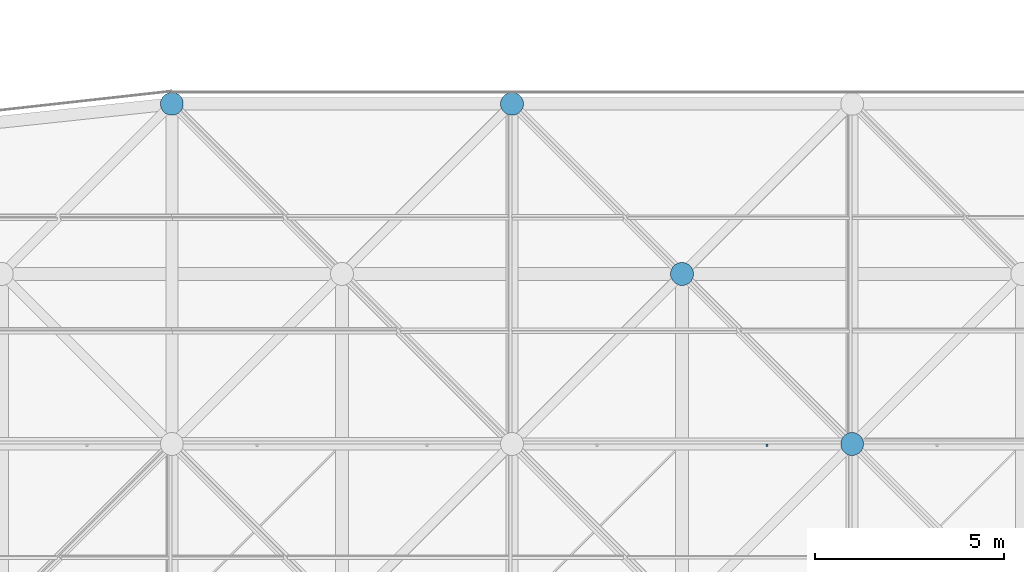
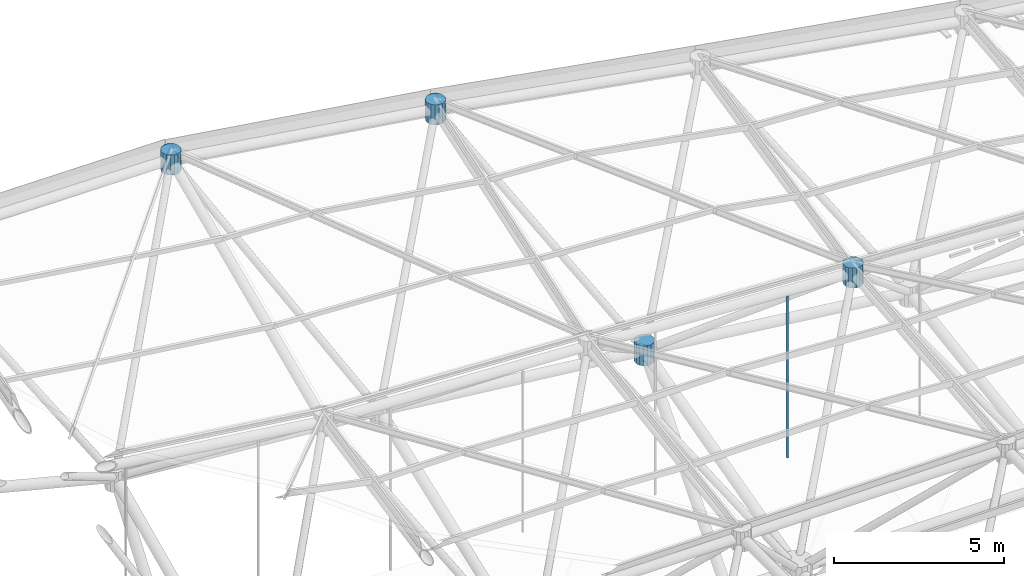
# One storey, part 320 of 437: 5 discrete accessories.
"""IFC4 building model written with IfcOpenShell, lengths in metres."""

from ifc_helpers import new_model, si_unit, direction, frame, origin, place, context, subcontext, project, spatial, polyline, outline, extrude, material, type_object, element, save


model = new_model("IFC4")

# Units and contexts
model_context = context("Model", 3, precision=1e-05, world=origin(), true_north=direction((0.0, 1.0)))
body_context = subcontext(model_context, "Body", "Model", "MODEL_VIEW")
ifc_project = project(units=[si_unit("LENGTHUNIT", "METRE"), si_unit("AREAUNIT", "SQUARE_METRE"), si_unit("VOLUMEUNIT", "CUBIC_METRE"), si_unit("PLANEANGLEUNIT", "RADIAN"), si_unit("MASSUNIT", "GRAM", prefix="KILO")], contexts=[model_context])

# Site, building, storey
site_placement = place(None, origin())
site = spatial("IfcSite", under=ifc_project, at=site_placement, CompositionType="ELEMENT")
building_placement = place(site_placement, origin())
building = spatial("IfcBuilding", under=site, at=building_placement, Name="Opaline Strait Convention Centre", CompositionType="ELEMENT")
storey_placement = place(building_placement, frame((0.0, 0.0, 11.5)))
storey = spatial("IfcBuildingStorey", under=building, at=storey_placement, Name="L02", CompositionType="ELEMENT", Elevation=11.5)

# Discrete accessories
ifc_material_1 = material(Name="Steel Q355B", Category="steel")
discrete_accessory_type_1 = type_object("IfcDiscreteAccessoryType", Name="Soffit hanger 60x60 steel", PredefinedType="BRACKET", material=ifc_material_1)
discrete_accessory_1_placement = place(storey_placement, frame((0.0, 0.0, 13.0087890625)))
element("IfcDiscreteAccessory", 1, at=discrete_accessory_1_placement, inside=storey, type_object=discrete_accessory_type_1, Name="Soffit hanger", PredefinedType="BRACKET", context=body_context, shape_type="SweptSolid", body=[
    extrude(outline(polyline([(119.219970703125, 157.43505859375), (119.280029296875, 157.43505859375), (119.280029296875, 157.4951171875), (119.219970703125, 157.4951171875), (119.219970703125, 157.43505859375)])), origin(), (0.0, 0.0, 1.0), 5.81787109375),
])
ifc_material_2 = material(Name="Cast steel ZG300-500H (300 MPa)", Category="steel")
discrete_accessory_type_2 = type_object("IfcDiscreteAccessoryType", Name="Space frame node hub D600", PredefinedType="USERDEFINED", material=ifc_material_2)
discrete_accessory_2_placement = place(storey_placement, frame((0.0, 0.0, 23.408203125)))
element("IfcDiscreteAccessory", 2, at=discrete_accessory_2_placement, inside=storey, type_object=discrete_accessory_type_2, Name="Top node 3/15", ObjectType="NODE HUB", PredefinedType="USERDEFINED", context=body_context, shape_type="SweptSolid", body=[
    extrude(outline(polyline([(103.800048828125, 166.559814453125), (103.75439453125, 166.669921875), (103.669921875, 166.75439453125), (103.559814453125, 166.800048828125), (103.440185546875, 166.800048828125), (103.330078125, 166.75439453125), (103.24560546875, 166.669921875), (103.199951171875, 166.559814453125), (103.199951171875, 166.440185546875), (103.24560546875, 166.330078125), (103.330078125, 166.24560546875), (103.440185546875, 166.199951171875), (103.559814453125, 166.199951171875), (103.669921875, 166.24560546875), (103.75439453125, 166.330078125), (103.800048828125, 166.440185546875), (103.800048828125, 166.559814453125)])), origin(), (0.0, 0.0, 1.0), 0.719970703125),
])
discrete_accessory_3_placement = place(storey_placement, frame((0.0, 0.0, 22.0634765625)))
element("IfcDiscreteAccessory", 3, at=discrete_accessory_3_placement, inside=storey, type_object=discrete_accessory_type_2, Name="Top node 4/15", ObjectType="NODE HUB", PredefinedType="USERDEFINED", context=body_context, shape_type="SweptSolid", body=[
    extrude(outline(polyline([(112.800048828125, 166.559814453125), (112.75439453125, 166.669921875), (112.669921875, 166.75439453125), (112.559814453125, 166.800048828125), (112.440185546875, 166.800048828125), (112.330078125, 166.75439453125), (112.24560546875, 166.669921875), (112.199951171875, 166.559814453125), (112.199951171875, 166.440185546875), (112.24560546875, 166.330078125), (112.330078125, 166.24560546875), (112.440185546875, 166.199951171875), (112.559814453125, 166.199951171875), (112.669921875, 166.24560546875), (112.75439453125, 166.330078125), (112.800048828125, 166.440185546875), (112.800048828125, 166.559814453125)])), origin(), (0.0, 0.0, 1.0), 0.719970703125),
])
discrete_accessory_4_placement = place(storey_placement, frame((0.0, 0.0, 18.501220703125)))
element("IfcDiscreteAccessory", 4, at=discrete_accessory_4_placement, inside=storey, type_object=discrete_accessory_type_2, Name="Top node 5/14", ObjectType="NODE HUB", PredefinedType="USERDEFINED", context=body_context, shape_type="SweptSolid", body=[
    extrude(outline(polyline([(121.800048828125, 157.559814453125), (121.75439453125, 157.669921875), (121.669921875, 157.75439453125), (121.559814453125, 157.800048828125), (121.440185546875, 157.800048828125), (121.330078125, 157.75439453125), (121.24560546875, 157.669921875), (121.199951171875, 157.559814453125), (121.199951171875, 157.440185546875), (121.24560546875, 157.330078125), (121.330078125, 157.24560546875), (121.440185546875, 157.199951171875), (121.559814453125, 157.199951171875), (121.669921875, 157.24560546875), (121.75439453125, 157.330078125), (121.800048828125, 157.440185546875), (121.800048828125, 157.559814453125)])), origin(), (0.0, 0.0, 1.0), 0.719970703125),
])
discrete_accessory_5_placement = place(storey_placement, frame((0.0, 0.0, 14.55078125)))
element("IfcDiscreteAccessory", 5, at=discrete_accessory_5_placement, inside=storey, type_object=discrete_accessory_type_2, Name="Bottom node 4/14", ObjectType="NODE HUB", PredefinedType="USERDEFINED", context=body_context, shape_type="SweptSolid", body=[
    extrude(outline(polyline([(117.300048828125, 162.059814453125), (117.25439453125, 162.169921875), (117.169921875, 162.25439453125), (117.059814453125, 162.300048828125), (116.940185546875, 162.300048828125), (116.830078125, 162.25439453125), (116.74560546875, 162.169921875), (116.699951171875, 162.059814453125), (116.699951171875, 161.940185546875), (116.74560546875, 161.830078125), (116.830078125, 161.74560546875), (116.940185546875, 161.699951171875), (117.059814453125, 161.699951171875), (117.169921875, 161.74560546875), (117.25439453125, 161.830078125), (117.300048828125, 161.940185546875), (117.300048828125, 162.059814453125)])), origin(), (0.0, 0.0, 1.0), 0.719970703125),
])

save(model, "model.ifc")
